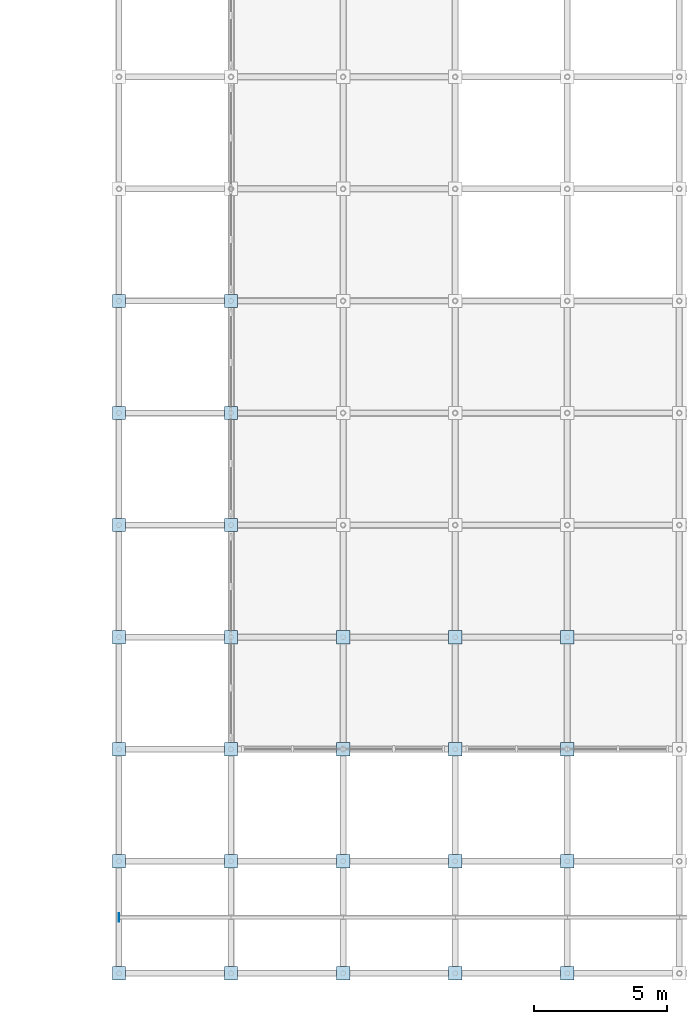
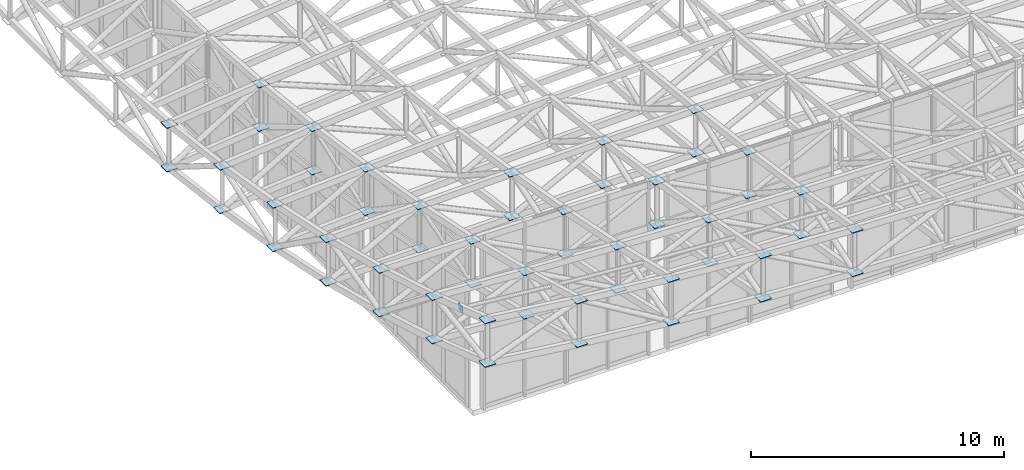
# One storey, part 74 of 123: 53 plates.
"""IFC4 building model written with IfcOpenShell, lengths in metres."""

from ifc_helpers import new_model, si_unit, direction, frame, origin, origin_2d, place, context, subcontext, project, spatial, rectangle, extrude, material, layer, layer_set, type_object, element, save


model = new_model("IFC4")

# Units and contexts
model_context = context("Model", 3, precision=1e-05, world=origin(), true_north=direction((0.0, 1.0)))
body_context = subcontext(model_context, "Body", "Model", "MODEL_VIEW")
ifc_project = project(units=[si_unit("LENGTHUNIT", "METRE"), si_unit("AREAUNIT", "SQUARE_METRE"), si_unit("VOLUMEUNIT", "CUBIC_METRE"), si_unit("PLANEANGLEUNIT", "RADIAN"), si_unit("MASSUNIT", "GRAM", prefix="KILO")], contexts=[model_context])

# Site, building, storey
site_placement = place(None, origin())
site = spatial("IfcSite", under=ifc_project, at=site_placement, CompositionType="ELEMENT")
building_placement = place(site_placement, origin())
building = spatial("IfcBuilding", under=site, at=building_placement, Name="Cumbredor Promenade Congress Hotel", CompositionType="ELEMENT")
storey_placement = place(building_placement, frame((0.0, 0.0, 11.760009765625)))
storey = spatial("IfcBuildingStorey", under=building, at=storey_placement, Name="L03", CompositionType="ELEMENT", Elevation=11.760009765625)

# Plates
ifc_material = material(Name="Steel ASTM A572 Grade 50", Category="steel")
ifc_layer_1 = layer(ifc_material, 0.02001953125, Name="Steel ASTM A572 Grade 50", Category="steel")
ifc_layer_set_1 = layer_set([ifc_layer_1], Name="Steel ASTM A572 Grade 50")
plate_type_1 = type_object("IfcPlateType", Name="Hollow Section End Cap Plate CP-05", PredefinedType="USERDEFINED", material=ifc_layer_set_1)
plate_placement = place(storey_placement, frame((138.592041015625, 2.10009765625, 10.1298828125), z_axis=(0.0, 0.0, 1.0), x_axis=(1.0, 0.0, 0.0)))
element("IfcPlate", 1, at=plate_placement, inside=storey, type_object=plate_type_1, Name="Grand Ballroom Pavilion Roof Eave Purlin 1.1 Start Cap Plate", ObjectType="CAP PLATE", PredefinedType="USERDEFINED", context=body_context, shape_type="SweptSolid", body=[
    extrude(rectangle(XDim=0.02001953125, YDim=0.320068359375, at=origin_2d()), origin(), (0.0, 0.0, 1.0), 0.320068359375),
])
ifc_layer_2 = layer(ifc_material, 0.031982421875, Name="Steel ASTM A572 Grade 50", Category="steel")
ifc_layer_set_2 = layer_set([ifc_layer_2], Name="Steel ASTM A572 Grade 50")
plate_type_2 = type_object("IfcPlateType", Name="Space Frame Node Assembly ND-02", PredefinedType="USERDEFINED", material=ifc_layer_set_2)
for number, where, z_axis, x_axis, name in (
    (2, (138.60009765625, 0.0, 11.00146484375), (0.0, 0.0, 1.0), (1.0, 0.0, 0.0), "Grand Ballroom Pavilion Space Frame Top Node 1.1"),
    (3, (138.60009765625, 0.0, 8.9013671875), (0.0, 0.0, 1.0), (1.0, 0.0, 0.0), "Grand Ballroom Pavilion Space Frame Bottom Node 1.1"),
    (4, (138.60009765625, 4.199951171875, 9.58447265625), (0.0, 0.0, 1.0), (1.0, 0.0, 0.0), "Grand Ballroom Pavilion Space Frame Top Node 1.2"),
    (5, (138.60009765625, 4.199951171875, 7.484375), (0.0, 0.0, 1.0), (1.0, 0.0, 0.0), "Grand Ballroom Pavilion Space Frame Bottom Node 1.2"),
    (6, (138.60009765625, 8.39990234375, 8.34765625), (0.0, 0.0, 1.0), (1.0, 0.0, 0.0), "Grand Ballroom Pavilion Space Frame Top Node 1.3"),
    (7, (138.60009765625, 8.39990234375, 6.248046875), (0.0, 0.0, 1.0), (1.0, 0.0, 0.0), "Grand Ballroom Pavilion Space Frame Bottom Node 1.3"),
    (8, (138.60009765625, 12.60009765625, 7.28759765625), (0.0, 0.0, 1.0), (1.0, 0.0, 0.0), "Grand Ballroom Pavilion Space Frame Top Node 1.4"),
    (9, (138.60009765625, 12.60009765625, 5.1875), (0.0, 0.0, 1.0), (1.0, 0.0, 0.0), "Grand Ballroom Pavilion Space Frame Bottom Node 1.4"),
    (10, (138.60009765625, 16.800048828125, 6.40380859375), (0.0, 0.0, 1.0), (1.0, 0.0, 0.0), "Grand Ballroom Pavilion Space Frame Top Node 1.5"),
    (11, (138.60009765625, 16.800048828125, 4.3037109375), (0.0, 0.0, 1.0), (1.0, 0.0, 0.0), "Grand Ballroom Pavilion Space Frame Bottom Node 1.5"),
    (12, (138.60009765625, 21.0, 5.6962890625), (0.0, 0.0, 1.0), (1.0, 0.0, 0.0), "Grand Ballroom Pavilion Space Frame Top Node 1.6"),
    (13, (138.60009765625, 21.0, 3.5966796875), (0.0, 0.0, 1.0), (1.0, 0.0, 0.0), "Grand Ballroom Pavilion Space Frame Bottom Node 1.6"),
    (14, (138.60009765625, 25.199951171875, 5.166015625), (0.0, 0.0, 1.0), (1.0, 0.0, 0.0), "Grand Ballroom Pavilion Space Frame Top Node 1.7"),
    (15, (138.60009765625, 25.199951171875, 3.06591796875), (0.0, 0.0, 1.0), (1.0, 0.0, 0.0), "Grand Ballroom Pavilion Space Frame Bottom Node 1.7"),
    (16, (142.800048828125, 0.0, 10.4853515625), (0.0, 0.0, 1.0), (1.0, 0.0, 0.0), "Grand Ballroom Pavilion Space Frame Top Node 2.1"),
    (17, (142.800048828125, 0.0, 8.38525390625), (0.0, 0.0, 1.0), (1.0, 0.0, 0.0), "Grand Ballroom Pavilion Space Frame Bottom Node 2.1"),
    (18, (142.800048828125, 4.199951171875, 9.30859375), (0.0, 0.0, 1.0), (1.0, 0.0, 0.0), "Grand Ballroom Pavilion Space Frame Top Node 2.2"),
    (19, (142.800048828125, 4.199951171875, 7.20849609375), (0.0, 0.0, 1.0), (1.0, 0.0, 0.0), "Grand Ballroom Pavilion Space Frame Bottom Node 2.2"),
    (20, (142.800048828125, 8.39990234375, 8.28515625), (0.0, 0.0, 1.0), (1.0, 0.0, 0.0), "Grand Ballroom Pavilion Space Frame Top Node 2.3"),
    (21, (142.800048828125, 8.39990234375, 6.18505859375), (0.0, 0.0, 1.0), (1.0, 0.0, 0.0), "Grand Ballroom Pavilion Space Frame Bottom Node 2.3"),
    (22, (142.800048828125, 12.60009765625, 7.40771484375), (0.0, 0.0, 1.0), (1.0, 0.0, 0.0), "Grand Ballroom Pavilion Space Frame Top Node 2.4"),
    (23, (142.800048828125, 12.60009765625, 5.3076171875), (0.0, 0.0, 1.0), (1.0, 0.0, 0.0), "Grand Ballroom Pavilion Space Frame Bottom Node 2.4"),
    (24, (142.800048828125, 16.800048828125, 6.67578125), (0.0, 0.0, 1.0), (1.0, 0.0, 0.0), "Grand Ballroom Pavilion Space Frame Top Node 2.5"),
    (25, (142.800048828125, 16.800048828125, 4.576171875), (0.0, 0.0, 1.0), (1.0, 0.0, 0.0), "Grand Ballroom Pavilion Space Frame Bottom Node 2.5"),
    (26, (142.800048828125, 21.0, 6.0908203125), (0.0, 0.0, 1.0), (1.0, 0.0, 0.0), "Grand Ballroom Pavilion Space Frame Top Node 2.6"),
    (27, (142.800048828125, 21.0, 3.99072265625), (0.0, 0.0, 1.0), (1.0, 0.0, 0.0), "Grand Ballroom Pavilion Space Frame Bottom Node 2.6"),
    (28, (142.800048828125, 25.199951171875, 5.6513671875), (0.0, 0.0, 1.0), (1.0, 0.0, 0.0), "Grand Ballroom Pavilion Space Frame Top Node 2.7"),
    (29, (142.800048828125, 25.199951171875, 3.55126953125), (0.0, 0.0, 1.0), (1.0, 0.0, 0.0), "Grand Ballroom Pavilion Space Frame Bottom Node 2.7"),
    (30, (147.0, 0.0, 10.0634765625), (0.0, 0.0, 1.0), (1.0, 0.0, 0.0), "Grand Ballroom Pavilion Space Frame Top Node 3.1"),
    (31, (147.0, 0.0, 7.9638671875), (0.0, 0.0, 1.0), (1.0, 0.0, 0.0), "Grand Ballroom Pavilion Space Frame Bottom Node 3.1"),
    (32, (147.0, 4.199951171875, 9.08740234375), (0.0, 0.0, 1.0), (1.0, 0.0, 0.0), "Grand Ballroom Pavilion Space Frame Top Node 3.2"),
    (33, (147.0, 4.199951171875, 6.9873046875), (0.0, 0.0, 1.0), (1.0, 0.0, 0.0), "Grand Ballroom Pavilion Space Frame Bottom Node 3.2"),
    (34, (147.0, 8.39990234375, 8.2373046875), (0.0, 0.0, 1.0), (1.0, 0.0, 0.0), "Grand Ballroom Pavilion Space Frame Top Node 3.3"),
    (35, (147.0, 8.39990234375, 6.13720703125), (0.0, 0.0, 1.0), (1.0, 0.0, 0.0), "Grand Ballroom Pavilion Space Frame Bottom Node 3.3"),
    (36, (147.0, 12.60009765625, 7.50830078125), (0.0, 0.0, 1.0), (1.0, 0.0, 0.0), "Grand Ballroom Pavilion Space Frame Top Node 3.4"),
    (37, (147.0, 12.60009765625, 5.408203125), (0.0, 0.0, 1.0), (1.0, 0.0, 0.0), "Grand Ballroom Pavilion Space Frame Bottom Node 3.4"),
    (38, (151.199951171875, 0.0, 9.7353515625), (0.0, 0.0, 1.0), (1.0, 0.0, 0.0), "Grand Ballroom Pavilion Space Frame Top Node 4.1"),
    (39, (151.199951171875, 0.0, 7.6357421875), (0.0, 0.0, 1.0), (1.0, 0.0, 0.0), "Grand Ballroom Pavilion Space Frame Bottom Node 4.1"),
    (40, (151.199951171875, 4.199951171875, 8.91455078125), (0.0, 0.0, 1.0), (1.0, 0.0, 0.0), "Grand Ballroom Pavilion Space Frame Top Node 4.2"),
    (41, (151.199951171875, 4.199951171875, 6.81494140625), (0.0, 0.0, 1.0), (1.0, 0.0, 0.0), "Grand Ballroom Pavilion Space Frame Bottom Node 4.2"),
    (42, (151.199951171875, 8.39990234375, 8.19970703125), (0.0, 0.0, 1.0), (1.0, 0.0, 0.0), "Grand Ballroom Pavilion Space Frame Top Node 4.3"),
    (43, (151.199951171875, 8.39990234375, 6.099609375), (0.0, 0.0, 1.0), (1.0, 0.0, 0.0), "Grand Ballroom Pavilion Space Frame Bottom Node 4.3"),
    (44, (151.199951171875, 12.60009765625, 7.58642578125), (0.0, 0.0, 1.0), (1.0, 0.0, 0.0), "Grand Ballroom Pavilion Space Frame Top Node 4.4"),
    (45, (151.199951171875, 12.60009765625, 5.486328125), (0.0, 0.0, 1.0), (1.0, 0.0, 0.0), "Grand Ballroom Pavilion Space Frame Bottom Node 4.4"),
    (46, (155.39990234375, 0.0, 9.5009765625), (0.0, 0.0, 1.0), (1.0, 0.0, 0.0), "Grand Ballroom Pavilion Space Frame Top Node 5.1"),
    (47, (155.39990234375, 0.0, 7.40087890625), (0.0, 0.0, 1.0), (1.0, 0.0, 0.0), "Grand Ballroom Pavilion Space Frame Bottom Node 5.1"),
    (48, (155.39990234375, 4.199951171875, 8.79150390625), (0.0, 0.0, 1.0), (1.0, 0.0, 0.0), "Grand Ballroom Pavilion Space Frame Top Node 5.2"),
    (49, (155.39990234375, 4.199951171875, 6.69140625), (0.0, 0.0, 1.0), (1.0, 0.0, 0.0), "Grand Ballroom Pavilion Space Frame Bottom Node 5.2"),
    (50, (155.39990234375, 8.39990234375, 8.17236328125), (0.0, 0.0, 1.0), (1.0, 0.0, 0.0), "Grand Ballroom Pavilion Space Frame Top Node 5.3"),
    (51, (155.39990234375, 8.39990234375, 6.07275390625), (0.0, 0.0, 1.0), (1.0, 0.0, 0.0), "Grand Ballroom Pavilion Space Frame Bottom Node 5.3"),
    (52, (155.39990234375, 12.60009765625, 7.64208984375), (0.0, 0.0, 1.0), (1.0, 0.0, 0.0), "Grand Ballroom Pavilion Space Frame Top Node 5.4"),
    (53, (155.39990234375, 12.60009765625, 5.5419921875), (0.0, 0.0, 1.0), (1.0, 0.0, 0.0), "Grand Ballroom Pavilion Space Frame Bottom Node 5.4"),
):
    element("IfcPlate", number, at=place(storey_placement, frame(where, z_axis=z_axis, x_axis=x_axis)), inside=storey, type_object=plate_type_2, Name=name, ObjectType="GUSSET PLATE", PredefinedType="USERDEFINED", context=body_context, shape_type="SweptSolid", body=[
        extrude(rectangle(XDim=0.5, YDim=0.5, at=origin_2d()), origin(), (0.0, 0.0, 1.0), 0.031982421875),
    ])

save(model, "model.ifc")
